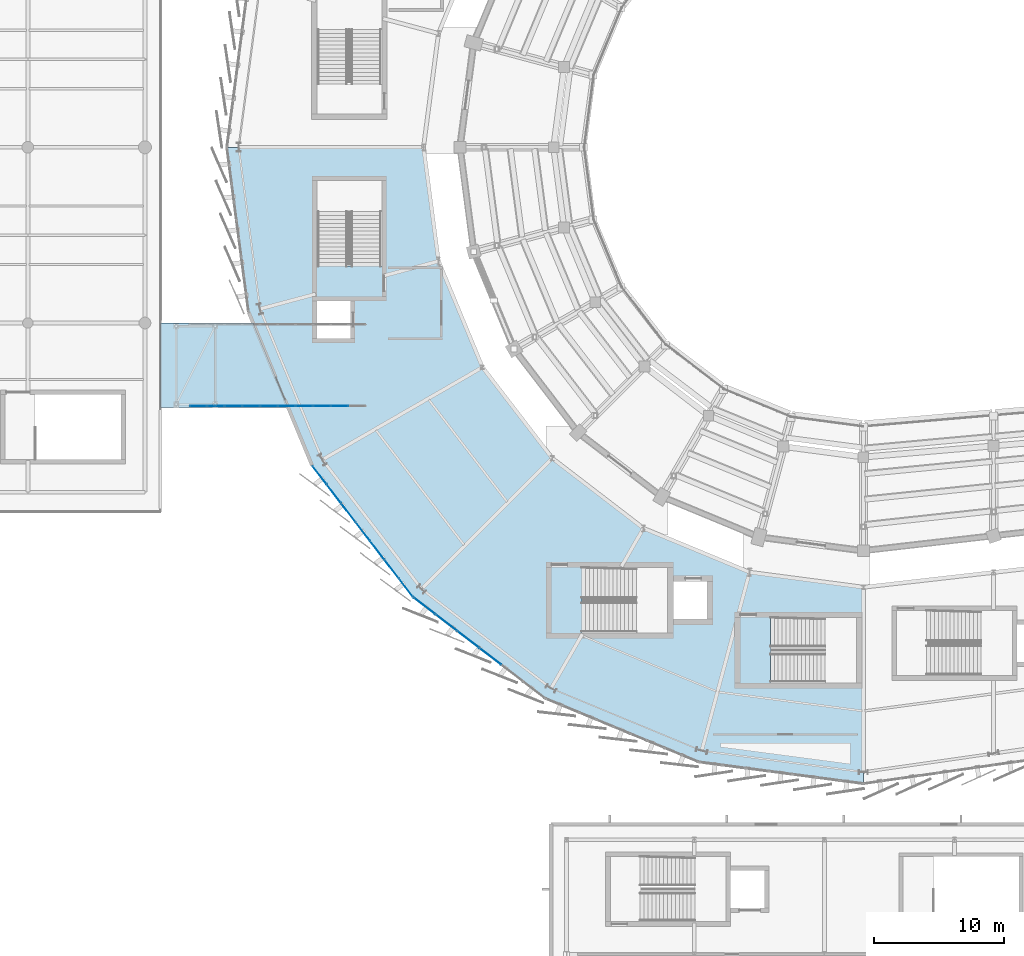
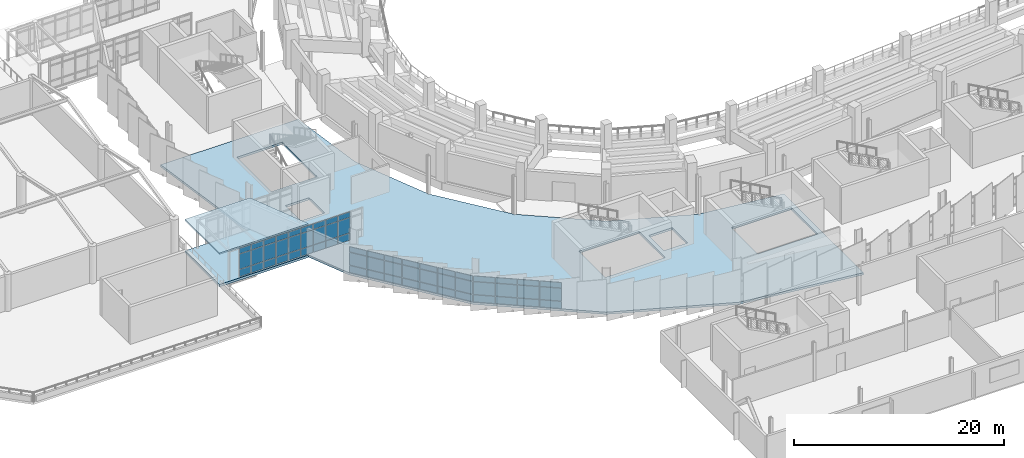
# One storey, part 77 of 120: 60 plates, 3 slabs, 3 elements without a shape of their own.
"""IFC4 building model written with IfcOpenShell, lengths in metres."""

from ifc_helpers import new_model, si_unit, direction, frame, origin, origin_2d, place, context, subcontext, project, spatial, polyline, rectangle, outline, extrude, material, layer, layer_set, type_object, element, aggregate, save


model = new_model("IFC4")

# Units and contexts
model_context = context("Model", 3, precision=1e-05, world=origin(), true_north=direction((0.0, 1.0)))
body_context = subcontext(model_context, "Body", "Model", "MODEL_VIEW")
ifc_project = project(units=[si_unit("LENGTHUNIT", "METRE"), si_unit("AREAUNIT", "SQUARE_METRE"), si_unit("VOLUMEUNIT", "CUBIC_METRE"), si_unit("PLANEANGLEUNIT", "RADIAN"), si_unit("MASSUNIT", "GRAM", prefix="KILO")], contexts=[model_context])

# Site, building, storey
site_placement = place(None, origin())
site = spatial("IfcSite", under=ifc_project, at=site_placement, CompositionType="ELEMENT")
building_placement = place(site_placement, origin())
building = spatial("IfcBuilding", under=site, at=building_placement, Name="Sohan Crest Arena", CompositionType="ELEMENT")
storey_placement = place(building_placement, frame((0.0, 0.0, 13.5)))
storey = spatial("IfcBuildingStorey", under=building, at=storey_placement, Name="L03", CompositionType="ELEMENT", Elevation=13.5)

# Curtain wall, plates
ifc_material_1 = material(Name="Thermally broken anodised aluminium", Category="aluminium")
ifc_layer_1 = layer(ifc_material_1, 0.219970703125, Name="Thermally broken anodised aluminium")
ifc_layer_set_1 = layer_set([ifc_layer_1], Name="Thermally broken anodised aluminium")
curtain_wall_type_1 = type_object("IfcCurtainWallType", Name="ARC-CW03", PredefinedType="NOTDEFINED", material=ifc_layer_set_1)
curtain_wall_1_placement = place(storey_placement, origin())
curtain_wall_1 = element("IfcCurtainWall", 1, at=curtain_wall_1_placement, inside=storey, type_object=curtain_wall_type_1, Name="Unitised curtain wall CW-086", PredefinedType="NOTDEFINED")
ifc_material_2 = material(Name="Low-E double-glazed insulated glass", Category="glass")
ifc_layer_2 = layer(ifc_material_2, 0.028076171875, Name="Low-E double-glazed insulated glass")
ifc_layer_set_2 = layer_set([ifc_layer_2], Name="Low-E double-glazed insulated glass")
plate_type_1 = type_object("IfcPlateType", Name="ARC-CNP01", PredefinedType="CURTAIN_PANEL", material=ifc_layer_set_2)
plate_1_placement = place(storey_placement, frame((56.215087890625, 52.814697265625, 0.070068359375), z_axis=(0.0, 0.0, 1.0), x_axis=(0.608737381249, -0.793371792207, 0.0)))
plate_1 = element("IfcPlate", 2, at=plate_1_placement, type_object=plate_type_1, Name="CW-086 panel 1.1", PredefinedType="CURTAIN_PANEL", context=body_context, shape_type="SweptSolid", body=[
    extrude(rectangle(XDim=1.733642578125, YDim=0.028076171875, at=origin_2d()), origin(), (0.0, 0.0, 1.0), 0.794921875),
])
plate_2_placement = place(storey_placement, frame((56.215087890625, 52.814697265625, 0.93505859375), z_axis=(0.0, 0.0, 1.0), x_axis=(0.608737381249, -0.793371792207, 0.0)))
plate_2 = element("IfcPlate", 3, at=plate_2_placement, type_object=plate_type_1, Name="CW-086 panel 1.2", PredefinedType="CURTAIN_PANEL", context=body_context, shape_type="SweptSolid", body=[
    extrude(rectangle(XDim=1.733642578125, YDim=0.028076171875, at=origin_2d()), origin(), (0.0, 0.0, 1.0), 1.449951171875),
])
plate_3_placement = place(storey_placement, frame((56.215087890625, 52.814697265625, 2.455078125), z_axis=(0.0, 0.0, 1.0), x_axis=(0.608737381249, -0.793371792207, 0.0)))
plate_3 = element("IfcPlate", 4, at=plate_3_placement, type_object=plate_type_1, Name="CW-086 panel 1.3", PredefinedType="CURTAIN_PANEL", context=body_context, shape_type="SweptSolid", body=[
    extrude(rectangle(XDim=1.733642578125, YDim=0.028076171875, at=origin_2d()), origin(), (0.0, 0.0, 1.0), 0.594970703125),
])
plate_4_placement = place(storey_placement, frame((57.316162109375, 51.379638671875, 0.070068359375), z_axis=(0.0, 0.0, 1.0), x_axis=(0.608737381249, -0.793371792207, 0.0)))
plate_4 = element("IfcPlate", 5, at=plate_4_placement, type_object=plate_type_1, Name="CW-086 panel 2.1", PredefinedType="CURTAIN_PANEL", context=body_context, shape_type="SweptSolid", body=[
    extrude(rectangle(XDim=1.763671875, YDim=0.028076171875, at=origin_2d()), origin(), (0.0, 0.0, 1.0), 0.794921875),
])
plate_5_placement = place(storey_placement, frame((57.316162109375, 51.379638671875, 0.93505859375), z_axis=(0.0, 0.0, 1.0), x_axis=(0.608737381249, -0.793371792207, 0.0)))
plate_5 = element("IfcPlate", 6, at=plate_5_placement, type_object=plate_type_1, Name="CW-086 panel 2.2", PredefinedType="CURTAIN_PANEL", context=body_context, shape_type="SweptSolid", body=[
    extrude(rectangle(XDim=1.763671875, YDim=0.028076171875, at=origin_2d()), origin(), (0.0, 0.0, 1.0), 1.449951171875),
])
plate_6_placement = place(storey_placement, frame((57.316162109375, 51.379638671875, 2.455078125), z_axis=(0.0, 0.0, 1.0), x_axis=(0.608737381249, -0.793371792207, 0.0)))
plate_6 = element("IfcPlate", 7, at=plate_6_placement, type_object=plate_type_1, Name="CW-086 panel 2.3", PredefinedType="CURTAIN_PANEL", context=body_context, shape_type="SweptSolid", body=[
    extrude(rectangle(XDim=1.763671875, YDim=0.028076171875, at=origin_2d()), origin(), (0.0, 0.0, 1.0), 0.594970703125),
])
plate_7_placement = place(storey_placement, frame((58.42626953125, 49.932861328125, 0.070068359375), z_axis=(0.0, 0.0, 1.0), x_axis=(0.608737381249, -0.793371792207, 0.0)))
plate_7 = element("IfcPlate", 8, at=plate_7_placement, type_object=plate_type_1, Name="CW-086 panel 3.1", PredefinedType="CURTAIN_PANEL", context=body_context, shape_type="SweptSolid", body=[
    extrude(rectangle(XDim=1.763671875, YDim=0.028076171875, at=origin_2d()), origin(), (0.0, 0.0, 1.0), 0.794921875),
])
plate_8_placement = place(storey_placement, frame((58.42626953125, 49.932861328125, 0.93505859375), z_axis=(0.0, 0.0, 1.0), x_axis=(0.608737381249, -0.793371792207, 0.0)))
plate_8 = element("IfcPlate", 9, at=plate_8_placement, type_object=plate_type_1, Name="CW-086 panel 3.2", PredefinedType="CURTAIN_PANEL", context=body_context, shape_type="SweptSolid", body=[
    extrude(rectangle(XDim=1.763671875, YDim=0.028076171875, at=origin_2d()), origin(), (0.0, 0.0, 1.0), 1.449951171875),
])
plate_9_placement = place(storey_placement, frame((58.42626953125, 49.932861328125, 2.455078125), z_axis=(0.0, 0.0, 1.0), x_axis=(0.608737381249, -0.793371792207, 0.0)))
plate_9 = element("IfcPlate", 10, at=plate_9_placement, type_object=plate_type_1, Name="CW-086 panel 3.3", PredefinedType="CURTAIN_PANEL", context=body_context, shape_type="SweptSolid", body=[
    extrude(rectangle(XDim=1.763671875, YDim=0.028076171875, at=origin_2d()), origin(), (0.0, 0.0, 1.0), 0.594970703125),
])
plate_10_placement = place(storey_placement, frame((59.53662109375, 48.486083984375, 0.070068359375), z_axis=(0.0, 0.0, 1.0), x_axis=(0.608737381249, -0.793371792207, 0.0)))
plate_10 = element("IfcPlate", 11, at=plate_10_placement, type_object=plate_type_1, Name="CW-086 panel 4.1", PredefinedType="CURTAIN_PANEL", context=body_context, shape_type="SweptSolid", body=[
    extrude(rectangle(XDim=1.763671875, YDim=0.028076171875, at=origin_2d()), origin(), (0.0, 0.0, 1.0), 0.794921875),
])
plate_11_placement = place(storey_placement, frame((59.53662109375, 48.486083984375, 0.93505859375), z_axis=(0.0, 0.0, 1.0), x_axis=(0.608737381249, -0.793371792207, 0.0)))
plate_11 = element("IfcPlate", 12, at=plate_11_placement, type_object=plate_type_1, Name="CW-086 panel 4.2", PredefinedType="CURTAIN_PANEL", context=body_context, shape_type="SweptSolid", body=[
    extrude(rectangle(XDim=1.763671875, YDim=0.028076171875, at=origin_2d()), origin(), (0.0, 0.0, 1.0), 1.449951171875),
])
plate_12_placement = place(storey_placement, frame((59.53662109375, 48.486083984375, 2.455078125), z_axis=(0.0, 0.0, 1.0), x_axis=(0.608737381249, -0.793371792207, 0.0)))
plate_12 = element("IfcPlate", 13, at=plate_12_placement, type_object=plate_type_1, Name="CW-086 panel 4.3", PredefinedType="CURTAIN_PANEL", context=body_context, shape_type="SweptSolid", body=[
    extrude(rectangle(XDim=1.763671875, YDim=0.028076171875, at=origin_2d()), origin(), (0.0, 0.0, 1.0), 0.594970703125),
])
plate_13_placement = place(storey_placement, frame((60.646728515625, 47.0390625, 0.070068359375), z_axis=(0.0, 0.0, 1.0), x_axis=(0.608737381249, -0.793371792207, 0.0)))
plate_13 = element("IfcPlate", 14, at=plate_13_placement, type_object=plate_type_1, Name="CW-086 panel 5.1", PredefinedType="CURTAIN_PANEL", context=body_context, shape_type="SweptSolid", body=[
    extrude(rectangle(XDim=1.763671875, YDim=0.028076171875, at=origin_2d()), origin(), (0.0, 0.0, 1.0), 0.794921875),
])
plate_14_placement = place(storey_placement, frame((60.646728515625, 47.0390625, 0.93505859375), z_axis=(0.0, 0.0, 1.0), x_axis=(0.608737381249, -0.793371792207, 0.0)))
plate_14 = element("IfcPlate", 15, at=plate_14_placement, type_object=plate_type_1, Name="CW-086 panel 5.2", PredefinedType="CURTAIN_PANEL", context=body_context, shape_type="SweptSolid", body=[
    extrude(rectangle(XDim=1.763671875, YDim=0.028076171875, at=origin_2d()), origin(), (0.0, 0.0, 1.0), 1.449951171875),
])
plate_15_placement = place(storey_placement, frame((60.646728515625, 47.0390625, 2.455078125), z_axis=(0.0, 0.0, 1.0), x_axis=(0.608737381249, -0.793371792207, 0.0)))
plate_15 = element("IfcPlate", 16, at=plate_15_placement, type_object=plate_type_1, Name="CW-086 panel 5.3", PredefinedType="CURTAIN_PANEL", context=body_context, shape_type="SweptSolid", body=[
    extrude(rectangle(XDim=1.763671875, YDim=0.028076171875, at=origin_2d()), origin(), (0.0, 0.0, 1.0), 0.594970703125),
])
plate_16_placement = place(storey_placement, frame((61.7568359375, 45.59228515625, 0.070068359375), z_axis=(0.0, 0.0, 1.0), x_axis=(0.608737381249, -0.793371792207, 0.0)))
plate_16 = element("IfcPlate", 17, at=plate_16_placement, type_object=plate_type_1, Name="CW-086 panel 6.1", PredefinedType="CURTAIN_PANEL", context=body_context, shape_type="SweptSolid", body=[
    extrude(rectangle(XDim=1.763671875, YDim=0.028076171875, at=origin_2d()), origin(), (0.0, 0.0, 1.0), 0.794921875),
])
plate_17_placement = place(storey_placement, frame((61.7568359375, 45.59228515625, 0.93505859375), z_axis=(0.0, 0.0, 1.0), x_axis=(0.608737381249, -0.793371792207, 0.0)))
plate_17 = element("IfcPlate", 18, at=plate_17_placement, type_object=plate_type_1, Name="CW-086 panel 6.2", PredefinedType="CURTAIN_PANEL", context=body_context, shape_type="SweptSolid", body=[
    extrude(rectangle(XDim=1.763671875, YDim=0.028076171875, at=origin_2d()), origin(), (0.0, 0.0, 1.0), 1.449951171875),
])
plate_18_placement = place(storey_placement, frame((61.7568359375, 45.59228515625, 2.455078125), z_axis=(0.0, 0.0, 1.0), x_axis=(0.608737381249, -0.793371792207, 0.0)))
plate_18 = element("IfcPlate", 19, at=plate_18_placement, type_object=plate_type_1, Name="CW-086 panel 6.3", PredefinedType="CURTAIN_PANEL", context=body_context, shape_type="SweptSolid", body=[
    extrude(rectangle(XDim=1.763671875, YDim=0.028076171875, at=origin_2d()), origin(), (0.0, 0.0, 1.0), 0.594970703125),
])
plate_19_placement = place(storey_placement, frame((62.85791015625, 44.1572265625, 0.070068359375), z_axis=(0.0, 0.0, 1.0), x_axis=(0.608737381249, -0.793371792207, 0.0)))
plate_19 = element("IfcPlate", 20, at=plate_19_placement, type_object=plate_type_1, Name="CW-086 panel 7.1", PredefinedType="CURTAIN_PANEL", context=body_context, shape_type="SweptSolid", body=[
    extrude(rectangle(XDim=1.733642578125, YDim=0.028076171875, at=origin_2d()), origin(), (0.0, 0.0, 1.0), 0.794921875),
])
plate_20_placement = place(storey_placement, frame((62.85791015625, 44.1572265625, 0.93505859375), z_axis=(0.0, 0.0, 1.0), x_axis=(0.608737381249, -0.793371792207, 0.0)))
plate_20 = element("IfcPlate", 21, at=plate_20_placement, type_object=plate_type_1, Name="CW-086 panel 7.2", PredefinedType="CURTAIN_PANEL", context=body_context, shape_type="SweptSolid", body=[
    extrude(rectangle(XDim=1.733642578125, YDim=0.028076171875, at=origin_2d()), origin(), (0.0, 0.0, 1.0), 1.449951171875),
])
plate_21_placement = place(storey_placement, frame((62.85791015625, 44.1572265625, 2.455078125), z_axis=(0.0, 0.0, 1.0), x_axis=(0.608737381249, -0.793371792207, 0.0)))
plate_21 = element("IfcPlate", 22, at=plate_21_placement, type_object=plate_type_1, Name="CW-086 panel 7.3", PredefinedType="CURTAIN_PANEL", context=body_context, shape_type="SweptSolid", body=[
    extrude(rectangle(XDim=1.733642578125, YDim=0.028076171875, at=origin_2d()), origin(), (0.0, 0.0, 1.0), 0.594970703125),
])
aggregate(curtain_wall_1, [plate_1, plate_2, plate_3, plate_4, plate_5, plate_6, plate_7, plate_8, plate_9, plate_10, plate_11, plate_12, plate_13, plate_14, plate_15, plate_16, plate_17, plate_18, plate_19, plate_20, plate_21])

ifc_layer_3 = layer(ifc_material_1, 0.18994140625, Name="Thermally broken anodised aluminium")
ifc_layer_set_3 = layer_set([ifc_layer_3], Name="Thermally broken anodised aluminium")
curtain_wall_type_2 = type_object("IfcCurtainWallType", Name="ARC-CW05", PredefinedType="NOTDEFINED", material=ifc_layer_set_3)
curtain_wall_2_placement = place(storey_placement, origin())
curtain_wall_2 = element("IfcCurtainWall", 23, at=curtain_wall_2_placement, inside=storey, type_object=curtain_wall_type_2, Name="Unitised curtain wall CW-229", PredefinedType="NOTDEFINED")
plate_22_placement = place(storey_placement, frame((46.896240234375, 58.1201171875, 0.06005859375), z_axis=(0.0, 0.0, 1.0), x_axis=(1.0, 0.0, 0.0)))
plate_22 = element("IfcPlate", 24, at=plate_22_placement, type_object=plate_type_1, Name="CW-229 panel 1.1", PredefinedType="CURTAIN_PANEL", context=body_context, shape_type="SweptSolid", body=[
    extrude(rectangle(XDim=1.262451171875, YDim=0.028076171875, at=origin_2d()), origin(), (0.0, 0.0, 1.0), 0.81005859375),
])
plate_23_placement = place(storey_placement, frame((46.896240234375, 58.1201171875, 0.93017578125), z_axis=(0.0, 0.0, 1.0), x_axis=(1.0, 0.0, 0.0)))
plate_23 = element("IfcPlate", 25, at=plate_23_placement, type_object=plate_type_1, Name="CW-229 panel 1.2", PredefinedType="CURTAIN_PANEL", context=body_context, shape_type="SweptSolid", body=[
    extrude(rectangle(XDim=1.262451171875, YDim=0.028076171875, at=origin_2d()), origin(), (0.0, 0.0, 1.0), 1.739990234375),
])
plate_24_placement = place(storey_placement, frame((46.896240234375, 58.1201171875, 2.72998046875), z_axis=(0.0, 0.0, 1.0), x_axis=(1.0, 0.0, 0.0)))
plate_24 = element("IfcPlate", 26, at=plate_24_placement, type_object=plate_type_1, Name="CW-229 panel 1.3", PredefinedType="CURTAIN_PANEL", context=body_context, shape_type="SweptSolid", body=[
    extrude(rectangle(XDim=1.262451171875, YDim=0.028076171875, at=origin_2d()), origin(), (0.0, 0.0, 1.0), 0.610107421875),
])
plate_25_placement = place(storey_placement, frame((48.239990234375, 58.1201171875, 0.06005859375), z_axis=(0.0, 0.0, 1.0), x_axis=(1.0, 0.0, 0.0)))
plate_25 = element("IfcPlate", 27, at=plate_25_placement, type_object=plate_type_1, Name="CW-229 panel 2.1", PredefinedType="CURTAIN_PANEL", context=body_context, shape_type="SweptSolid", body=[
    extrude(rectangle(XDim=1.294921875, YDim=0.028076171875, at=origin_2d()), origin(), (0.0, 0.0, 1.0), 0.81005859375),
])
plate_26_placement = place(storey_placement, frame((48.239990234375, 58.1201171875, 0.93017578125), z_axis=(0.0, 0.0, 1.0), x_axis=(1.0, 0.0, 0.0)))
plate_26 = element("IfcPlate", 28, at=plate_26_placement, type_object=plate_type_1, Name="CW-229 panel 2.2", PredefinedType="CURTAIN_PANEL", context=body_context, shape_type="SweptSolid", body=[
    extrude(rectangle(XDim=1.294921875, YDim=0.028076171875, at=origin_2d()), origin(), (0.0, 0.0, 1.0), 1.739990234375),
])
plate_27_placement = place(storey_placement, frame((48.239990234375, 58.1201171875, 2.72998046875), z_axis=(0.0, 0.0, 1.0), x_axis=(1.0, 0.0, 0.0)))
plate_27 = element("IfcPlate", 29, at=plate_27_placement, type_object=plate_type_1, Name="CW-229 panel 2.3", PredefinedType="CURTAIN_PANEL", context=body_context, shape_type="SweptSolid", body=[
    extrude(rectangle(XDim=1.294921875, YDim=0.028076171875, at=origin_2d()), origin(), (0.0, 0.0, 1.0), 0.610107421875),
])
plate_28_placement = place(storey_placement, frame((49.60009765625, 58.1201171875, 0.06005859375), z_axis=(0.0, 0.0, 1.0), x_axis=(1.0, 0.0, 0.0)))
plate_28 = element("IfcPlate", 30, at=plate_28_placement, type_object=plate_type_1, Name="CW-229 panel 3.1", PredefinedType="CURTAIN_PANEL", context=body_context, shape_type="SweptSolid", body=[
    extrude(rectangle(XDim=1.294921875, YDim=0.028076171875, at=origin_2d()), origin(), (0.0, 0.0, 1.0), 0.81005859375),
])
plate_29_placement = place(storey_placement, frame((49.60009765625, 58.1201171875, 0.93017578125), z_axis=(0.0, 0.0, 1.0), x_axis=(1.0, 0.0, 0.0)))
plate_29 = element("IfcPlate", 31, at=plate_29_placement, type_object=plate_type_1, Name="CW-229 panel 3.2", PredefinedType="CURTAIN_PANEL", context=body_context, shape_type="SweptSolid", body=[
    extrude(rectangle(XDim=1.294921875, YDim=0.028076171875, at=origin_2d()), origin(), (0.0, 0.0, 1.0), 1.739990234375),
])
plate_30_placement = place(storey_placement, frame((49.60009765625, 58.1201171875, 2.72998046875), z_axis=(0.0, 0.0, 1.0), x_axis=(1.0, 0.0, 0.0)))
plate_30 = element("IfcPlate", 32, at=plate_30_placement, type_object=plate_type_1, Name="CW-229 panel 3.3", PredefinedType="CURTAIN_PANEL", context=body_context, shape_type="SweptSolid", body=[
    extrude(rectangle(XDim=1.294921875, YDim=0.028076171875, at=origin_2d()), origin(), (0.0, 0.0, 1.0), 0.610107421875),
])
plate_31_placement = place(storey_placement, frame((50.9599609375, 58.1201171875, 0.06005859375), z_axis=(0.0, 0.0, 1.0), x_axis=(1.0, 0.0, 0.0)))
plate_31 = element("IfcPlate", 33, at=plate_31_placement, type_object=plate_type_1, Name="CW-229 panel 4.1", PredefinedType="CURTAIN_PANEL", context=body_context, shape_type="SweptSolid", body=[
    extrude(rectangle(XDim=1.294921875, YDim=0.028076171875, at=origin_2d()), origin(), (0.0, 0.0, 1.0), 0.81005859375),
])
plate_32_placement = place(storey_placement, frame((50.9599609375, 58.1201171875, 0.93017578125), z_axis=(0.0, 0.0, 1.0), x_axis=(1.0, 0.0, 0.0)))
plate_32 = element("IfcPlate", 34, at=plate_32_placement, type_object=plate_type_1, Name="CW-229 panel 4.2", PredefinedType="CURTAIN_PANEL", context=body_context, shape_type="SweptSolid", body=[
    extrude(rectangle(XDim=1.294921875, YDim=0.028076171875, at=origin_2d()), origin(), (0.0, 0.0, 1.0), 1.739990234375),
])
plate_33_placement = place(storey_placement, frame((50.9599609375, 58.1201171875, 2.72998046875), z_axis=(0.0, 0.0, 1.0), x_axis=(1.0, 0.0, 0.0)))
plate_33 = element("IfcPlate", 35, at=plate_33_placement, type_object=plate_type_1, Name="CW-229 panel 4.3", PredefinedType="CURTAIN_PANEL", context=body_context, shape_type="SweptSolid", body=[
    extrude(rectangle(XDim=1.294921875, YDim=0.028076171875, at=origin_2d()), origin(), (0.0, 0.0, 1.0), 0.610107421875),
])
plate_34_placement = place(storey_placement, frame((52.320068359375, 58.1201171875, 0.06005859375), z_axis=(0.0, 0.0, 1.0), x_axis=(1.0, 0.0, 0.0)))
plate_34 = element("IfcPlate", 36, at=plate_34_placement, type_object=plate_type_1, Name="CW-229 panel 5.1", PredefinedType="CURTAIN_PANEL", context=body_context, shape_type="SweptSolid", body=[
    extrude(rectangle(XDim=1.294921875, YDim=0.028076171875, at=origin_2d()), origin(), (0.0, 0.0, 1.0), 0.81005859375),
])
plate_35_placement = place(storey_placement, frame((52.320068359375, 58.1201171875, 0.93017578125), z_axis=(0.0, 0.0, 1.0), x_axis=(1.0, 0.0, 0.0)))
plate_35 = element("IfcPlate", 37, at=plate_35_placement, type_object=plate_type_1, Name="CW-229 panel 5.2", PredefinedType="CURTAIN_PANEL", context=body_context, shape_type="SweptSolid", body=[
    extrude(rectangle(XDim=1.294921875, YDim=0.028076171875, at=origin_2d()), origin(), (0.0, 0.0, 1.0), 1.739990234375),
])
plate_36_placement = place(storey_placement, frame((52.320068359375, 58.1201171875, 2.72998046875), z_axis=(0.0, 0.0, 1.0), x_axis=(1.0, 0.0, 0.0)))
plate_36 = element("IfcPlate", 38, at=plate_36_placement, type_object=plate_type_1, Name="CW-229 panel 5.3", PredefinedType="CURTAIN_PANEL", context=body_context, shape_type="SweptSolid", body=[
    extrude(rectangle(XDim=1.294921875, YDim=0.028076171875, at=origin_2d()), origin(), (0.0, 0.0, 1.0), 0.610107421875),
])
plate_37_placement = place(storey_placement, frame((53.679931640625, 58.1201171875, 0.06005859375), z_axis=(0.0, 0.0, 1.0), x_axis=(1.0, 0.0, 0.0)))
plate_37 = element("IfcPlate", 39, at=plate_37_placement, type_object=plate_type_1, Name="CW-229 panel 6.1", PredefinedType="CURTAIN_PANEL", context=body_context, shape_type="SweptSolid", body=[
    extrude(rectangle(XDim=1.294921875, YDim=0.028076171875, at=origin_2d()), origin(), (0.0, 0.0, 1.0), 0.81005859375),
])
plate_38_placement = place(storey_placement, frame((53.679931640625, 58.1201171875, 0.93017578125), z_axis=(0.0, 0.0, 1.0), x_axis=(1.0, 0.0, 0.0)))
plate_38 = element("IfcPlate", 40, at=plate_38_placement, type_object=plate_type_1, Name="CW-229 panel 6.2", PredefinedType="CURTAIN_PANEL", context=body_context, shape_type="SweptSolid", body=[
    extrude(rectangle(XDim=1.294921875, YDim=0.028076171875, at=origin_2d()), origin(), (0.0, 0.0, 1.0), 1.739990234375),
])
plate_39_placement = place(storey_placement, frame((53.679931640625, 58.1201171875, 2.72998046875), z_axis=(0.0, 0.0, 1.0), x_axis=(1.0, 0.0, 0.0)))
plate_39 = element("IfcPlate", 41, at=plate_39_placement, type_object=plate_type_1, Name="CW-229 panel 6.3", PredefinedType="CURTAIN_PANEL", context=body_context, shape_type="SweptSolid", body=[
    extrude(rectangle(XDim=1.294921875, YDim=0.028076171875, at=origin_2d()), origin(), (0.0, 0.0, 1.0), 0.610107421875),
])
plate_40_placement = place(storey_placement, frame((55.0400390625, 58.1201171875, 0.06005859375), z_axis=(0.0, 0.0, 1.0), x_axis=(1.0, 0.0, 0.0)))
plate_40 = element("IfcPlate", 42, at=plate_40_placement, type_object=plate_type_1, Name="CW-229 panel 7.1", PredefinedType="CURTAIN_PANEL", context=body_context, shape_type="SweptSolid", body=[
    extrude(rectangle(XDim=1.294921875, YDim=0.028076171875, at=origin_2d()), origin(), (0.0, 0.0, 1.0), 0.81005859375),
])
plate_41_placement = place(storey_placement, frame((55.0400390625, 58.1201171875, 0.93017578125), z_axis=(0.0, 0.0, 1.0), x_axis=(1.0, 0.0, 0.0)))
plate_41 = element("IfcPlate", 43, at=plate_41_placement, type_object=plate_type_1, Name="CW-229 panel 7.2", PredefinedType="CURTAIN_PANEL", context=body_context, shape_type="SweptSolid", body=[
    extrude(rectangle(XDim=1.294921875, YDim=0.028076171875, at=origin_2d()), origin(), (0.0, 0.0, 1.0), 1.739990234375),
])
plate_42_placement = place(storey_placement, frame((55.0400390625, 58.1201171875, 2.72998046875), z_axis=(0.0, 0.0, 1.0), x_axis=(1.0, 0.0, 0.0)))
plate_42 = element("IfcPlate", 44, at=plate_42_placement, type_object=plate_type_1, Name="CW-229 panel 7.3", PredefinedType="CURTAIN_PANEL", context=body_context, shape_type="SweptSolid", body=[
    extrude(rectangle(XDim=1.294921875, YDim=0.028076171875, at=origin_2d()), origin(), (0.0, 0.0, 1.0), 0.610107421875),
])
plate_43_placement = place(storey_placement, frame((56.39990234375, 58.1201171875, 0.06005859375), z_axis=(0.0, 0.0, 1.0), x_axis=(1.0, 0.0, 0.0)))
plate_43 = element("IfcPlate", 45, at=plate_43_placement, type_object=plate_type_1, Name="CW-229 panel 8.1", PredefinedType="CURTAIN_PANEL", context=body_context, shape_type="SweptSolid", body=[
    extrude(rectangle(XDim=1.294921875, YDim=0.028076171875, at=origin_2d()), origin(), (0.0, 0.0, 1.0), 0.81005859375),
])
plate_44_placement = place(storey_placement, frame((56.39990234375, 58.1201171875, 0.93017578125), z_axis=(0.0, 0.0, 1.0), x_axis=(1.0, 0.0, 0.0)))
plate_44 = element("IfcPlate", 46, at=plate_44_placement, type_object=plate_type_1, Name="CW-229 panel 8.2", PredefinedType="CURTAIN_PANEL", context=body_context, shape_type="SweptSolid", body=[
    extrude(rectangle(XDim=1.294921875, YDim=0.028076171875, at=origin_2d()), origin(), (0.0, 0.0, 1.0), 1.739990234375),
])
plate_45_placement = place(storey_placement, frame((56.39990234375, 58.1201171875, 2.72998046875), z_axis=(0.0, 0.0, 1.0), x_axis=(1.0, 0.0, 0.0)))
plate_45 = element("IfcPlate", 47, at=plate_45_placement, type_object=plate_type_1, Name="CW-229 panel 8.3", PredefinedType="CURTAIN_PANEL", context=body_context, shape_type="SweptSolid", body=[
    extrude(rectangle(XDim=1.294921875, YDim=0.028076171875, at=origin_2d()), origin(), (0.0, 0.0, 1.0), 0.610107421875),
])
plate_46_placement = place(storey_placement, frame((57.760009765625, 58.1201171875, 0.06005859375), z_axis=(0.0, 0.0, 1.0), x_axis=(1.0, 0.0, 0.0)))
plate_46 = element("IfcPlate", 48, at=plate_46_placement, type_object=plate_type_1, Name="CW-229 panel 9.1", PredefinedType="CURTAIN_PANEL", context=body_context, shape_type="SweptSolid", body=[
    extrude(rectangle(XDim=1.294921875, YDim=0.028076171875, at=origin_2d()), origin(), (0.0, 0.0, 1.0), 0.81005859375),
])
plate_47_placement = place(storey_placement, frame((57.760009765625, 58.1201171875, 0.93017578125), z_axis=(0.0, 0.0, 1.0), x_axis=(1.0, 0.0, 0.0)))
plate_47 = element("IfcPlate", 49, at=plate_47_placement, type_object=plate_type_1, Name="CW-229 panel 9.2", PredefinedType="CURTAIN_PANEL", context=body_context, shape_type="SweptSolid", body=[
    extrude(rectangle(XDim=1.294921875, YDim=0.028076171875, at=origin_2d()), origin(), (0.0, 0.0, 1.0), 1.739990234375),
])
plate_48_placement = place(storey_placement, frame((57.760009765625, 58.1201171875, 2.72998046875), z_axis=(0.0, 0.0, 1.0), x_axis=(1.0, 0.0, 0.0)))
plate_48 = element("IfcPlate", 50, at=plate_48_placement, type_object=plate_type_1, Name="CW-229 panel 9.3", PredefinedType="CURTAIN_PANEL", context=body_context, shape_type="SweptSolid", body=[
    extrude(rectangle(XDim=1.294921875, YDim=0.028076171875, at=origin_2d()), origin(), (0.0, 0.0, 1.0), 0.610107421875),
])
aggregate(curtain_wall_2, [plate_22, plate_23, plate_24, plate_25, plate_26, plate_27, plate_28, plate_29, plate_30, plate_31, plate_32, plate_33, plate_34, plate_35, plate_36, plate_37, plate_38, plate_39, plate_40, plate_41, plate_42, plate_43, plate_44, plate_45, plate_46, plate_47, plate_48])

ifc_layer_4 = layer(ifc_material_1, 0.239990234375, Name="Thermally broken anodised aluminium")
ifc_layer_set_4 = layer_set([ifc_layer_4], Name="Thermally broken anodised aluminium")
curtain_wall_type_3 = type_object("IfcCurtainWallType", Name="ARC-CW04", PredefinedType="NOTDEFINED", material=ifc_layer_set_4)
curtain_wall_3_placement = place(storey_placement, origin())
curtain_wall_3 = element("IfcCurtainWall", 51, at=curtain_wall_3_placement, inside=storey, type_object=curtain_wall_type_3, Name="Unitised curtain wall CW-087", PredefinedType="NOTDEFINED")
ifc_layer_5 = layer(ifc_material_2, 0.031982421875, Name="Low-E double-glazed insulated glass")
ifc_layer_set_5 = layer_set([ifc_layer_5], Name="Low-E double-glazed insulated glass")
plate_type_2 = type_object("IfcPlateType", Name="ARC-CNP02", PredefinedType="CURTAIN_PANEL", material=ifc_layer_set_5)
plate_49_placement = place(storey_placement, frame((64.27880859375, 42.764404296875, 0.06005859375), z_axis=(0.0, 0.0, 1.0), x_axis=(0.793371792207, -0.608737381249, 0.0)))
plate_49 = element("IfcPlate", 52, at=plate_49_placement, type_object=plate_type_2, Name="CW-087 panel 1.1", PredefinedType="CURTAIN_PANEL", context=body_context, shape_type="SweptSolid", body=[
    extrude(rectangle(XDim=2.030029296875, YDim=0.031982421875, at=origin_2d()), origin(), (0.0, 0.0, 1.0), 0.81005859375),
])
plate_50_placement = place(storey_placement, frame((64.27880859375, 42.764404296875, 0.929931640625), z_axis=(0.0, 0.0, 1.0), x_axis=(0.793371792207, -0.608737381249, 0.0)))
plate_50 = element("IfcPlate", 53, at=plate_50_placement, type_object=plate_type_2, Name="CW-087 panel 1.2", PredefinedType="CURTAIN_PANEL", context=body_context, shape_type="SweptSolid", body=[
    extrude(rectangle(XDim=2.030029296875, YDim=0.031982421875, at=origin_2d()), origin(), (0.0, 0.0, 1.0), 1.4599609375),
])
plate_51_placement = place(storey_placement, frame((64.27880859375, 42.764404296875, 2.44970703125), z_axis=(0.0, 0.0, 1.0), x_axis=(0.793371792207, -0.608737381249, 0.0)))
plate_51 = element("IfcPlate", 54, at=plate_51_placement, type_object=plate_type_2, Name="CW-087 panel 1.3", PredefinedType="CURTAIN_PANEL", context=body_context, shape_type="SweptSolid", body=[
    extrude(rectangle(XDim=2.030029296875, YDim=0.031982421875, at=origin_2d()), origin(), (0.0, 0.0, 1.0), 0.610107421875),
])
plate_52_placement = place(storey_placement, frame((65.9541015625, 41.479248046875, 0.06005859375), z_axis=(0.0, 0.0, 1.0), x_axis=(0.793371792207, -0.608737381249, 0.0)))
plate_52 = element("IfcPlate", 55, at=plate_52_placement, type_object=plate_type_2, Name="CW-087 panel 2.1", PredefinedType="CURTAIN_PANEL", context=body_context, shape_type="SweptSolid", body=[
    extrude(rectangle(XDim=2.062744140625, YDim=0.031982421875, at=origin_2d()), origin(), (0.0, 0.0, 1.0), 0.81005859375),
])
plate_53_placement = place(storey_placement, frame((65.9541015625, 41.479248046875, 0.929931640625), z_axis=(0.0, 0.0, 1.0), x_axis=(0.793371792207, -0.608737381249, 0.0)))
plate_53 = element("IfcPlate", 56, at=plate_53_placement, type_object=plate_type_2, Name="CW-087 panel 2.2", PredefinedType="CURTAIN_PANEL", context=body_context, shape_type="SweptSolid", body=[
    extrude(rectangle(XDim=2.062744140625, YDim=0.031982421875, at=origin_2d()), origin(), (0.0, 0.0, 1.0), 1.4599609375),
])
plate_54_placement = place(storey_placement, frame((65.9541015625, 41.479248046875, 2.44970703125), z_axis=(0.0, 0.0, 1.0), x_axis=(0.793371792207, -0.608737381249, 0.0)))
plate_54 = element("IfcPlate", 57, at=plate_54_placement, type_object=plate_type_2, Name="CW-087 panel 2.3", PredefinedType="CURTAIN_PANEL", context=body_context, shape_type="SweptSolid", body=[
    extrude(rectangle(XDim=2.062744140625, YDim=0.031982421875, at=origin_2d()), origin(), (0.0, 0.0, 1.0), 0.610107421875),
])
plate_55_placement = place(storey_placement, frame((67.64208984375, 40.18408203125, 0.06005859375), z_axis=(0.0, 0.0, 1.0), x_axis=(0.793371792207, -0.608737381249, 0.0)))
plate_55 = element("IfcPlate", 58, at=plate_55_placement, type_object=plate_type_2, Name="CW-087 panel 3.1", PredefinedType="CURTAIN_PANEL", context=body_context, shape_type="SweptSolid", body=[
    extrude(rectangle(XDim=2.062744140625, YDim=0.031982421875, at=origin_2d()), origin(), (0.0, 0.0, 1.0), 0.81005859375),
])
plate_56_placement = place(storey_placement, frame((67.64208984375, 40.18408203125, 0.929931640625), z_axis=(0.0, 0.0, 1.0), x_axis=(0.793371792207, -0.608737381249, 0.0)))
plate_56 = element("IfcPlate", 59, at=plate_56_placement, type_object=plate_type_2, Name="CW-087 panel 3.2", PredefinedType="CURTAIN_PANEL", context=body_context, shape_type="SweptSolid", body=[
    extrude(rectangle(XDim=2.062744140625, YDim=0.031982421875, at=origin_2d()), origin(), (0.0, 0.0, 1.0), 1.4599609375),
])
plate_57_placement = place(storey_placement, frame((67.64208984375, 40.18408203125, 2.44970703125), z_axis=(0.0, 0.0, 1.0), x_axis=(0.793371792207, -0.608737381249, 0.0)))
plate_57 = element("IfcPlate", 60, at=plate_57_placement, type_object=plate_type_2, Name="CW-087 panel 3.3", PredefinedType="CURTAIN_PANEL", context=body_context, shape_type="SweptSolid", body=[
    extrude(rectangle(XDim=2.062744140625, YDim=0.031982421875, at=origin_2d()), origin(), (0.0, 0.0, 1.0), 0.610107421875),
])
plate_58_placement = place(storey_placement, frame((69.330078125, 38.888916015625, 0.06005859375), z_axis=(0.0, 0.0, 1.0), x_axis=(0.793371792207, -0.608737381249, 0.0)))
plate_58 = element("IfcPlate", 61, at=plate_58_placement, type_object=plate_type_2, Name="CW-087 panel 4.1", PredefinedType="CURTAIN_PANEL", context=body_context, shape_type="SweptSolid", body=[
    extrude(rectangle(XDim=2.062744140625, YDim=0.031982421875, at=origin_2d()), origin(), (0.0, 0.0, 1.0), 0.81005859375),
])
plate_59_placement = place(storey_placement, frame((69.330078125, 38.888916015625, 0.929931640625), z_axis=(0.0, 0.0, 1.0), x_axis=(0.793371792207, -0.608737381249, 0.0)))
plate_59 = element("IfcPlate", 62, at=plate_59_placement, type_object=plate_type_2, Name="CW-087 panel 4.2", PredefinedType="CURTAIN_PANEL", context=body_context, shape_type="SweptSolid", body=[
    extrude(rectangle(XDim=2.062744140625, YDim=0.031982421875, at=origin_2d()), origin(), (0.0, 0.0, 1.0), 1.4599609375),
])
plate_60_placement = place(storey_placement, frame((69.330078125, 38.888916015625, 2.44970703125), z_axis=(0.0, 0.0, 1.0), x_axis=(0.793371792207, -0.608737381249, 0.0)))
plate_60 = element("IfcPlate", 63, at=plate_60_placement, type_object=plate_type_2, Name="CW-087 panel 4.3", PredefinedType="CURTAIN_PANEL", context=body_context, shape_type="SweptSolid", body=[
    extrude(rectangle(XDim=2.062744140625, YDim=0.031982421875, at=origin_2d()), origin(), (0.0, 0.0, 1.0), 0.610107421875),
])
aggregate(curtain_wall_3, [plate_49, plate_50, plate_51, plate_52, plate_53, plate_54, plate_55, plate_56, plate_57, plate_58, plate_59, plate_60])

# Slabs
ifc_material_3 = material(Name="Concrete C40/50", Category="concrete")
ifc_layer_6 = layer(ifc_material_3, 0.25, Name="Concrete C40/50")
ifc_layer_set_6 = layer_set([ifc_layer_6], Name="Concrete C40/50")
slab_type_1 = type_object("IfcSlabType", Name="SL-FLR3", PredefinedType="FLOOR", material=ifc_layer_set_6)
slab_1_placement = place(storey_placement, frame((0.0, 0.0, -0.25)))
element("IfcSlab", 64, at=slab_1_placement, inside=storey, type_object=slab_type_1, Name="Concourse ring L03 sector 2 SL-L03-V2S2", PredefinedType="FLOOR", context=body_context, shape_type="SweptSolid", body=[
    extrude(outline(polyline([(63.422119140625, 43.422119140625), (55.65087890625, 53.550048828125), (50.76611328125, 65.343994140625), (49.10009765625, 78.0), (64.199951171875, 78.0), (65.35205078125, 69.251953125), (68.72802734375, 61.10009765625), (74.10009765625, 54.10009765625), (81.10009765625, 48.72802734375), (89.251953125, 45.35205078125), (98.0, 44.199951171875), (98.0, 29.10009765625), (85.343994140625, 30.76611328125), (73.550048828125, 35.65087890625), (63.422119140625, 43.422119140625)]), holes=[polyline([(61.0, 75.449951171875), (56.0, 75.449951171875), (56.0, 68.8701171875), (61.0, 68.8701171875), (61.0, 75.449951171875)]), polyline([(58.60009765625, 63.300048828125), (58.60009765625, 66.199951171875), (56.0, 66.199951171875), (56.0, 63.300048828125), (58.60009765625, 63.300048828125)]), polyline([(82.949951171875, 45.699951171875), (76.3701171875, 45.699951171875), (76.3701171875, 40.699951171875), (82.949951171875, 40.699951171875), (82.949951171875, 45.699951171875)]), polyline([(86.0, 41.75), (86.0, 44.64990234375), (83.39990234375, 44.64990234375), (83.39990234375, 41.75), (86.0, 41.75)]), polyline([(97.449951171875, 41.860107421875), (90.8701171875, 41.860107421875), (90.8701171875, 36.860107421875), (97.449951171875, 36.860107421875), (97.449951171875, 41.860107421875)])]), origin(), (0.0, 0.0, 1.0), 0.25),
])
ifc_layer_7 = layer(ifc_material_3, 0.27490234375, Name="Concrete C40/50")
ifc_layer_set_7 = layer_set([ifc_layer_7], Name="Concrete C40/50")
slab_type_2 = type_object("IfcSlabType", Name="SL-FLR4", PredefinedType="FLOOR", material=ifc_layer_set_7)
slab_2_placement = place(storey_placement, frame((0.0, 0.0, -0.27490234375)))
element("IfcSlab", 65, at=slab_2_placement, inside=storey, type_object=slab_type_2, Name="Covered bridge BR-W1 L03 deck SL-BR-W1-L03", PredefinedType="FLOOR", context=body_context, shape_type="SweptSolid", body=[
    extrude(outline(polyline([(51.115966796875, 64.5), (53.80810546875, 58.0), (44.0, 58.0), (44.0, 64.5), (51.115966796875, 64.5)])), origin(), (0.0, 0.0, 1.0), 0.27490234375),
])
ifc_layer_8 = layer(ifc_material_3, 0.175048828125, Name="Concrete C40/50")
ifc_layer_set_8 = layer_set([ifc_layer_8], Name="Concrete C40/50")
slab_type_3 = type_object("IfcSlabType", Name="SL-RF01", PredefinedType="ROOF", material=ifc_layer_set_8)
slab_3_placement = place(storey_placement, frame((0.0, 0.0, 3.47509765625)))
element("IfcSlab", 66, at=slab_3_placement, inside=storey, type_object=slab_type_3, Name="Covered bridge BR-W1 roof RF-BR-W1", PredefinedType="ROOF", context=body_context, shape_type="SweptSolid", body=[
    extrude(outline(polyline([(51.115966796875, 64.5), (53.80810546875, 58.0), (44.0, 58.0), (44.0, 64.5), (51.115966796875, 64.5)])), origin(), (0.0, 0.0, 1.0), 0.1748046875),
])

save(model, "model.ifc")
